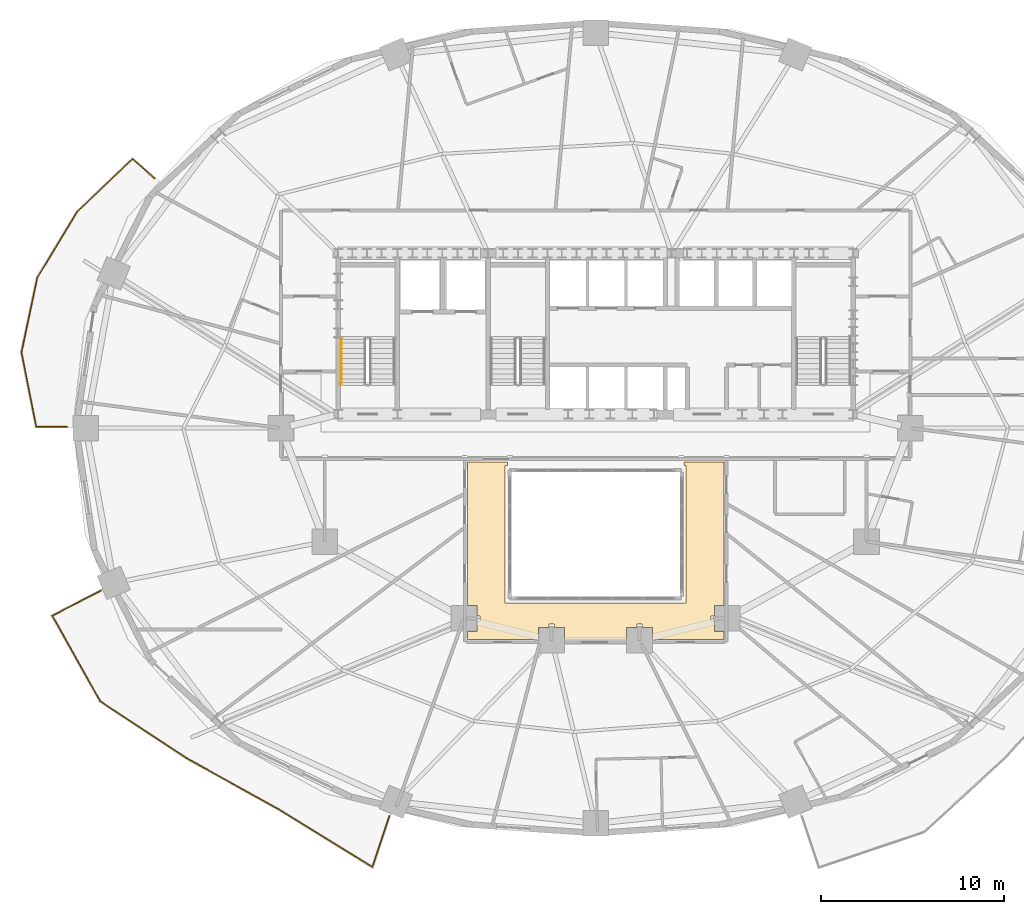
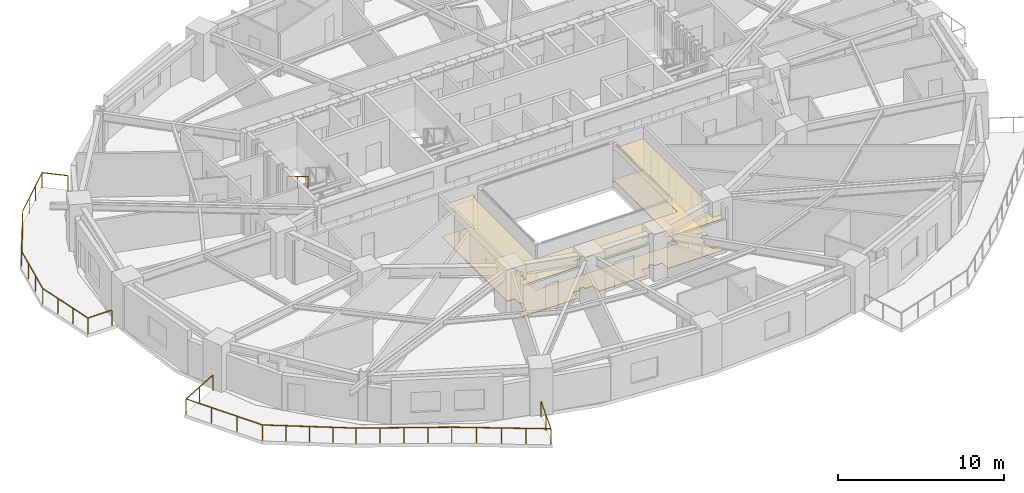
# One storey, part 13 of 16: 3 railings, 2 coverings.
"""IFC4 building model written with IfcOpenShell, lengths in metres."""

from ifc_helpers import new_model, si_unit, direction, frame, origin, origin_2d, place, context, subcontext, project, spatial, polyline, rectangle, outline, extrude, material, layer, layer_set, type_object, element, save


model = new_model("IFC4")

# Units and contexts
model_context = context("Model", 3, precision=1e-05, world=origin(), true_north=direction((0.0, 1.0)))
body_context = subcontext(model_context, "Body", "Model", "MODEL_VIEW")
ifc_project = project(units=[si_unit("LENGTHUNIT", "METRE"), si_unit("AREAUNIT", "SQUARE_METRE"), si_unit("VOLUMEUNIT", "CUBIC_METRE"), si_unit("PLANEANGLEUNIT", "RADIAN"), si_unit("MASSUNIT", "GRAM", prefix="KILO")], contexts=[model_context])

# Site, building, storey
site_placement = place(None, origin())
site = spatial("IfcSite", under=ifc_project, at=site_placement, CompositionType="ELEMENT")
building_placement = place(site_placement, origin())
building = spatial("IfcBuilding", under=site, at=building_placement, Name="Haldorwick Loom Tower", CompositionType="ELEMENT")
storey_placement = place(building_placement, frame((0.0, 0.0, 88.699951171875)))
storey = spatial("IfcBuildingStorey", under=building, at=storey_placement, Name="L23", CompositionType="ELEMENT", Elevation=88.699951171875)

# Coverings
ifc_material_1 = material(Name="Mineral Fibre Acoustic Ceiling Tile")
ifc_layer_1 = layer(ifc_material_1, 0.054931640625, Name="Mineral Fibre Acoustic Ceiling Tile")
ifc_layer_set_1 = layer_set([ifc_layer_1], Name="Mineral Fibre Acoustic Ceiling Tile")
covering_type_1 = type_object("IfcCoveringType", Name="ARC-COV-CEIL2", PredefinedType="CEILING", material=ifc_layer_set_1)
covering_1_placement = place(storey_placement, frame((0.0, 0.0, 2.302001953125)))
element("IfcCovering", 1, at=covering_1_placement, inside=storey, type_object=covering_type_1, Name="L23 Acoustic Suspended Ceiling 1", PredefinedType="CEILING", context=body_context, shape_type="SweptSolid", body=[
    extrude(outline(polyline([(40.820068359375, 24.159912109375), (40.820068359375, 23.949951171875), (40.949951171875, 23.949951171875), (40.949951171875, 16.449951171875), (31.050048828125, 16.449951171875), (31.050048828125, 23.949951171875), (31.179931640625, 23.949951171875), (31.179931640625, 24.159912109375), (28.989990234375, 24.159912109375), (28.989990234375, 16.30810546875), (29.508056640625, 16.30810546875), (29.508056640625, 15.739990234375), (29.669921875, 15.739990234375), (29.672119140625, 15.739990234375), (29.673828125, 15.739501953125), (29.67578125, 15.739013671875), (29.677734375, 15.738525390625), (29.679443359375, 15.737548828125), (29.68115234375, 15.736572265625), (29.6826171875, 15.735595703125), (29.68408203125, 15.734130859375), (29.685546875, 15.732666015625), (29.6865234375, 15.731201171875), (29.6875, 15.7294921875), (29.6884765625, 15.727783203125), (29.689208984375, 15.725830078125), (29.689697265625, 15.723876953125), (29.68994140625, 15.721923828125), (29.68994140625, 15.719970703125), (29.68994140625, 15.47998046875), (29.68994140625, 15.47802734375), (29.689697265625, 15.47607421875), (29.689208984375, 15.47412109375), (29.6884765625, 15.472412109375), (29.6875, 15.470703125), (29.6865234375, 15.468994140625), (29.685546875, 15.46728515625), (29.68408203125, 15.4658203125), (29.6826171875, 15.464599609375), (29.68115234375, 15.46337890625), (29.679443359375, 15.46240234375), (29.677734375, 15.46142578125), (29.67578125, 15.4609375), (29.673828125, 15.46044921875), (29.672119140625, 15.460205078125), (29.669921875, 15.4599609375), (29.508056640625, 15.4599609375), (29.508056640625, 14.89208984375), (28.989990234375, 14.89208984375), (28.989990234375, 14.43994140625), (32.89208984375, 14.43994140625), (32.89208984375, 15.10791015625), (33.4599609375, 15.10791015625), (33.4599609375, 15.27001953125), (33.460205078125, 15.27197265625), (33.46044921875, 15.27392578125), (33.4609375, 15.27587890625), (33.46142578125, 15.277587890625), (33.46240234375, 15.279296875), (33.46337890625, 15.281005859375), (33.464599609375, 15.28271484375), (33.4658203125, 15.2841796875), (33.46728515625, 15.285400390625), (33.468994140625, 15.28662109375), (33.470703125, 15.28759765625), (33.472412109375, 15.28857421875), (33.47412109375, 15.2890625), (33.47607421875, 15.28955078125), (33.47802734375, 15.289794921875), (33.47998046875, 15.2900390625), (33.719970703125, 15.2900390625), (33.721923828125, 15.289794921875), (33.723876953125, 15.28955078125), (33.725830078125, 15.2890625), (33.727783203125, 15.28857421875), (33.7294921875, 15.28759765625), (33.731201171875, 15.28662109375), (33.732666015625, 15.285400390625), (33.734130859375, 15.2841796875), (33.735595703125, 15.28271484375), (33.736572265625, 15.281005859375), (33.737548828125, 15.279296875), (33.738525390625, 15.277587890625), (33.739013671875, 15.27587890625), (33.739501953125, 15.27392578125), (33.739990234375, 15.27197265625), (33.739990234375, 15.27001953125), (33.739990234375, 15.10791015625), (34.30810546875, 15.10791015625), (34.30810546875, 14.43994140625), (37.69189453125, 14.43994140625), (37.69189453125, 15.10791015625), (38.260009765625, 15.10791015625), (38.260009765625, 15.27001953125), (38.260009765625, 15.27197265625), (38.260498046875, 15.27392578125), (38.260986328125, 15.27587890625), (38.261474609375, 15.277587890625), (38.262451171875, 15.279296875), (38.263427734375, 15.281005859375), (38.264404296875, 15.28271484375), (38.265869140625, 15.2841796875), (38.267333984375, 15.285400390625), (38.268798828125, 15.28662109375), (38.2705078125, 15.28759765625), (38.272216796875, 15.28857421875), (38.274169921875, 15.2890625), (38.276123046875, 15.28955078125), (38.278076171875, 15.289794921875), (38.280029296875, 15.2900390625), (38.52001953125, 15.2900390625), (38.52197265625, 15.289794921875), (38.52392578125, 15.28955078125), (38.52587890625, 15.2890625), (38.527587890625, 15.28857421875), (38.529296875, 15.28759765625), (38.531005859375, 15.28662109375), (38.53271484375, 15.285400390625), (38.5341796875, 15.2841796875), (38.535400390625, 15.28271484375), (38.53662109375, 15.28125), (38.53759765625, 15.279541015625), (38.538330078125, 15.277587890625), (38.5390625, 15.27587890625), (38.53955078125, 15.27392578125), (38.539794921875, 15.272216796875), (38.5400390625, 15.27001953125), (38.540771484375, 15.10791015625), (39.10791015625, 15.10791015625), (39.10791015625, 14.43994140625), (43.010009765625, 14.43994140625), (43.010009765625, 14.89208984375), (42.491943359375, 14.89208984375), (42.491943359375, 15.4599609375), (42.330078125, 15.4599609375), (42.327880859375, 15.460205078125), (42.326171875, 15.46044921875), (42.32421875, 15.4609375), (42.322265625, 15.46142578125), (42.320556640625, 15.46240234375), (42.31884765625, 15.46337890625), (42.3173828125, 15.464599609375), (42.31591796875, 15.4658203125), (42.314453125, 15.46728515625), (42.3134765625, 15.468994140625), (42.3125, 15.470703125), (42.3115234375, 15.472412109375), (42.310791015625, 15.47412109375), (42.310302734375, 15.47607421875), (42.31005859375, 15.47802734375), (42.31005859375, 15.47998046875), (42.31005859375, 15.719970703125), (42.31005859375, 15.721923828125), (42.310302734375, 15.723876953125), (42.310791015625, 15.725830078125), (42.3115234375, 15.727783203125), (42.3125, 15.7294921875), (42.3134765625, 15.731201171875), (42.314453125, 15.732666015625), (42.31591796875, 15.734130859375), (42.3173828125, 15.735595703125), (42.31884765625, 15.736572265625), (42.320556640625, 15.737548828125), (42.322265625, 15.738525390625), (42.32421875, 15.739013671875), (42.326171875, 15.739501953125), (42.327880859375, 15.739990234375), (42.330078125, 15.739990234375), (42.491943359375, 15.739990234375), (42.491943359375, 16.30810546875), (43.010009765625, 16.30810546875), (43.010009765625, 24.159912109375), (40.820068359375, 24.159912109375)])), origin(), (0.0, 0.0, 1.0), 0.054931640625),
])
ifc_material_2 = material(Name="Polished Aggregate Terrazzo Finish")
ifc_layer_2 = layer(ifc_material_2, 0.044921875, Name="Polished Aggregate Terrazzo Finish")
ifc_layer_set_2 = layer_set([ifc_layer_2], Name="Polished Aggregate Terrazzo Finish")
covering_type_2 = type_object("IfcCoveringType", Name="ARC-COV-FLOOR2", PredefinedType="FLOORING", material=ifc_layer_set_2)
covering_2_placement = place(storey_placement, origin())
element("IfcCovering", 2, at=covering_2_placement, inside=storey, type_object=covering_type_2, Name="L23 Floor Finish 1", PredefinedType="FLOORING", context=body_context, shape_type="SweptSolid", body=[
    extrude(outline(polyline([(40.820068359375, 24.159912109375), (40.820068359375, 23.949951171875), (40.949951171875, 23.949951171875), (40.949951171875, 16.449951171875), (31.050048828125, 16.449951171875), (31.050048828125, 23.949951171875), (31.179931640625, 23.949951171875), (31.179931640625, 24.159912109375), (28.989990234375, 24.159912109375), (28.989990234375, 16.30810546875), (29.508056640625, 16.30810546875), (29.508056640625, 15.739990234375), (29.669921875, 15.739990234375), (29.672119140625, 15.739990234375), (29.673828125, 15.739501953125), (29.67578125, 15.739013671875), (29.677734375, 15.738525390625), (29.679443359375, 15.737548828125), (29.68115234375, 15.736572265625), (29.6826171875, 15.735595703125), (29.68408203125, 15.734130859375), (29.685546875, 15.732666015625), (29.6865234375, 15.731201171875), (29.6875, 15.7294921875), (29.6884765625, 15.727783203125), (29.689208984375, 15.725830078125), (29.689697265625, 15.723876953125), (29.68994140625, 15.721923828125), (29.68994140625, 15.719970703125), (29.68994140625, 15.47998046875), (29.68994140625, 15.47802734375), (29.689697265625, 15.47607421875), (29.689208984375, 15.47412109375), (29.6884765625, 15.472412109375), (29.6875, 15.470703125), (29.6865234375, 15.468994140625), (29.685546875, 15.46728515625), (29.68408203125, 15.4658203125), (29.6826171875, 15.464599609375), (29.68115234375, 15.46337890625), (29.679443359375, 15.46240234375), (29.677734375, 15.46142578125), (29.67578125, 15.4609375), (29.673828125, 15.46044921875), (29.672119140625, 15.460205078125), (29.669921875, 15.4599609375), (29.508056640625, 15.4599609375), (29.508056640625, 14.89208984375), (28.989990234375, 14.89208984375), (28.989990234375, 14.43994140625), (32.89208984375, 14.43994140625), (32.89208984375, 15.10791015625), (33.4599609375, 15.10791015625), (33.4599609375, 15.27001953125), (33.460205078125, 15.27197265625), (33.46044921875, 15.27392578125), (33.4609375, 15.27587890625), (33.46142578125, 15.277587890625), (33.46240234375, 15.279296875), (33.46337890625, 15.281005859375), (33.464599609375, 15.28271484375), (33.4658203125, 15.2841796875), (33.46728515625, 15.285400390625), (33.468994140625, 15.28662109375), (33.470703125, 15.28759765625), (33.472412109375, 15.28857421875), (33.47412109375, 15.2890625), (33.47607421875, 15.28955078125), (33.47802734375, 15.289794921875), (33.47998046875, 15.2900390625), (33.719970703125, 15.2900390625), (33.721923828125, 15.289794921875), (33.723876953125, 15.28955078125), (33.725830078125, 15.2890625), (33.727783203125, 15.28857421875), (33.7294921875, 15.28759765625), (33.731201171875, 15.28662109375), (33.732666015625, 15.285400390625), (33.734130859375, 15.2841796875), (33.735595703125, 15.28271484375), (33.736572265625, 15.281005859375), (33.737548828125, 15.279296875), (33.738525390625, 15.277587890625), (33.739013671875, 15.27587890625), (33.739501953125, 15.27392578125), (33.739990234375, 15.27197265625), (33.739990234375, 15.27001953125), (33.739990234375, 15.10791015625), (34.30810546875, 15.10791015625), (34.30810546875, 14.43994140625), (37.69189453125, 14.43994140625), (37.69189453125, 15.10791015625), (38.260009765625, 15.10791015625), (38.260009765625, 15.27001953125), (38.260009765625, 15.27197265625), (38.260498046875, 15.27392578125), (38.260986328125, 15.27587890625), (38.261474609375, 15.277587890625), (38.262451171875, 15.279296875), (38.263427734375, 15.281005859375), (38.264404296875, 15.28271484375), (38.265869140625, 15.2841796875), (38.267333984375, 15.285400390625), (38.268798828125, 15.28662109375), (38.2705078125, 15.28759765625), (38.272216796875, 15.28857421875), (38.274169921875, 15.2890625), (38.276123046875, 15.28955078125), (38.278076171875, 15.289794921875), (38.280029296875, 15.2900390625), (38.52001953125, 15.2900390625), (38.52197265625, 15.289794921875), (38.52392578125, 15.28955078125), (38.52587890625, 15.2890625), (38.527587890625, 15.28857421875), (38.529296875, 15.28759765625), (38.531005859375, 15.28662109375), (38.53271484375, 15.285400390625), (38.5341796875, 15.2841796875), (38.535400390625, 15.28271484375), (38.53662109375, 15.28125), (38.53759765625, 15.279541015625), (38.538330078125, 15.277587890625), (38.5390625, 15.27587890625), (38.53955078125, 15.27392578125), (38.539794921875, 15.272216796875), (38.5400390625, 15.27001953125), (38.540771484375, 15.10791015625), (39.10791015625, 15.10791015625), (39.10791015625, 14.43994140625), (43.010009765625, 14.43994140625), (43.010009765625, 14.89208984375), (42.491943359375, 14.89208984375), (42.491943359375, 15.4599609375), (42.330078125, 15.4599609375), (42.327880859375, 15.460205078125), (42.326171875, 15.46044921875), (42.32421875, 15.4609375), (42.322265625, 15.46142578125), (42.320556640625, 15.46240234375), (42.31884765625, 15.46337890625), (42.3173828125, 15.464599609375), (42.31591796875, 15.4658203125), (42.314453125, 15.46728515625), (42.3134765625, 15.468994140625), (42.3125, 15.470703125), (42.3115234375, 15.472412109375), (42.310791015625, 15.47412109375), (42.310302734375, 15.47607421875), (42.31005859375, 15.47802734375), (42.31005859375, 15.47998046875), (42.31005859375, 15.719970703125), (42.31005859375, 15.721923828125), (42.310302734375, 15.723876953125), (42.310791015625, 15.725830078125), (42.3115234375, 15.727783203125), (42.3125, 15.7294921875), (42.3134765625, 15.731201171875), (42.314453125, 15.732666015625), (42.31591796875, 15.734130859375), (42.3173828125, 15.735595703125), (42.31884765625, 15.736572265625), (42.320556640625, 15.737548828125), (42.322265625, 15.738525390625), (42.32421875, 15.739013671875), (42.326171875, 15.739501953125), (42.327880859375, 15.739990234375), (42.330078125, 15.739990234375), (42.491943359375, 15.739990234375), (42.491943359375, 16.30810546875), (43.010009765625, 16.30810546875), (43.010009765625, 24.159912109375), (40.820068359375, 24.159912109375)])), origin(), (0.0, 0.0, 1.0), 0.045166015625),
])

# Railings
ifc_material_3 = material(Name="Galvanized Steel CSA G40.21 350W", Category="steel")
railing_type_1 = type_object("IfcRailingType", Name="ARC-RLG-BAL115", PredefinedType="BALUSTRADE", material=ifc_material_3)
railing_1_placement = place(storey_placement, frame((24.729248046875, 4.805908203125, 0.0)))
element("IfcRailing", 3, at=railing_1_placement, inside=storey, type_object=railing_type_1, Name="L23 Outdoor Terrace Guardrail SLB-L23-BAL_SW-1", PredefinedType="BALUSTRADE", context=body_context, shape_type="SweptSolid", body=[
    extrude(rectangle(XDim=0.048095703125, YDim=0.048095703125, at=origin_2d()), frame((0.0, 0.0, 1.1259765625), z_axis=(-0.316552288503, -0.948575062208, 0.0), x_axis=(0.948575062208, -0.316552288503, 0.0)), (0.0, 0.0, 1.0), 2.933837890625),
    extrude(rectangle(XDim=0.048095703125, YDim=0.048095703125, at=origin_2d()), frame((-0.9287109375, -2.782958984375, 1.1259765625), z_axis=(-0.851115893252, 0.524977843583, 0.0), x_axis=(-0.524977843583, -0.851115893252, 0.0)), (0.0, 0.0, 1.0), 5.985595703125),
    extrude(rectangle(XDim=0.048095703125, YDim=0.048095703125, at=origin_2d()), frame((-6.023193359375, 0.359375, 1.1259765625), z_axis=(-0.851658316705, 0.524097425664, 0.0), x_axis=(-0.524097425664, -0.851658316705, 0.0)), (0.0, 0.0, 1.0), 0.003662109375),
    extrude(rectangle(XDim=0.048095703125, YDim=0.048095703125, at=origin_2d()), frame((-6.0263671875, 0.361328125, 1.1259765625), z_axis=(-0.874686586393, 0.484688947248, 0.0), x_axis=(-0.484688947248, -0.874686586393, 0.0)), (0.0, 0.0, 1.0), 5.759765625),
    extrude(rectangle(XDim=0.048095703125, YDim=0.048095703125, at=origin_2d()), frame((-11.064453125, 3.153076171875, 1.1259765625), z_axis=(-0.834770993898, 0.550597300889, 0.0), x_axis=(-0.550597300889, -0.834770993898, 0.0)), (0.0, 0.0, 1.0), 5.666748046875),
    extrude(rectangle(XDim=0.048095703125, YDim=0.048095703125, at=origin_2d()), frame((-15.794921875, 6.273193359375, 1.1259765625), z_axis=(-0.489113033914, 0.872220407956, 0.0), x_axis=(-0.872220407956, -0.489113033914, 0.0)), (0.0, 0.0, 1.0), 5.352294921875),
    extrude(rectangle(XDim=0.048095703125, YDim=0.048095703125, at=origin_2d()), frame((-18.412841796875, 10.941650390625, 1.1259765625), z_axis=(0.888537984145, 0.458803063124, 0.0), x_axis=(-0.458803063124, 0.888537984145, 0.0)), (0.0, 0.0, 1.0), 2.989990234375),
    extrude(rectangle(XDim=0.0419921875, YDim=0.0419921875, at=origin_2d()), origin(), (0.0, 0.0, 1.0), 1.101806640625),
    extrude(rectangle(XDim=0.0419921875, YDim=0.0419921875, at=origin_2d()), frame((-0.46435546875, -1.3916015625, 0.0)), (0.0, 0.0, 1.0), 1.101806640625),
    extrude(rectangle(XDim=0.0419921875, YDim=0.0419921875, at=origin_2d()), frame((-0.9287109375, -2.782958984375, 0.0)), (0.0, 0.0, 1.0), 1.101806640625),
    extrude(rectangle(XDim=0.0419921875, YDim=0.0419921875, at=origin_2d()), frame((-2.202392578125, -1.997314453125, 0.0)), (0.0, 0.0, 1.0), 1.101806640625),
    extrude(rectangle(XDim=0.0419921875, YDim=0.0419921875, at=origin_2d()), frame((-3.47607421875, -1.2119140625, 0.0)), (0.0, 0.0, 1.0), 1.101806640625),
    extrude(rectangle(XDim=0.0419921875, YDim=0.0419921875, at=origin_2d()), frame((-4.74951171875, -0.42626953125, 0.0)), (0.0, 0.0, 1.0), 1.101806640625),
    extrude(rectangle(XDim=0.0419921875, YDim=0.0419921875, at=origin_2d()), frame((-6.023193359375, 0.359375, 0.0)), (0.0, 0.0, 1.0), 1.101806640625),
    extrude(rectangle(XDim=0.0419921875, YDim=0.0419921875, at=origin_2d()), frame((-7.285888671875, 1.059326171875, 0.0)), (0.0, 0.0, 1.0), 1.101806640625),
    extrude(rectangle(XDim=0.0419921875, YDim=0.0419921875, at=origin_2d()), frame((-8.54541015625, 1.75732421875, 0.0)), (0.0, 0.0, 1.0), 1.101806640625),
    extrude(rectangle(XDim=0.0419921875, YDim=0.0419921875, at=origin_2d()), frame((-9.804931640625, 2.455078125, 0.0)), (0.0, 0.0, 1.0), 1.101806640625),
    extrude(rectangle(XDim=0.0419921875, YDim=0.0419921875, at=origin_2d()), frame((-11.064453125, 3.153076171875, 0.0)), (0.0, 0.0, 1.0), 1.101806640625),
    extrude(rectangle(XDim=0.0419921875, YDim=0.0419921875, at=origin_2d()), frame((-12.2470703125, 3.93310546875, 0.0)), (0.0, 0.0, 1.0), 1.101806640625),
    extrude(rectangle(XDim=0.0419921875, YDim=0.0419921875, at=origin_2d()), frame((-13.4296875, 4.713134765625, 0.0)), (0.0, 0.0, 1.0), 1.101806640625),
    extrude(rectangle(XDim=0.0419921875, YDim=0.0419921875, at=origin_2d()), frame((-14.6123046875, 5.4931640625, 0.0)), (0.0, 0.0, 1.0), 1.101806640625),
    extrude(rectangle(XDim=0.0419921875, YDim=0.0419921875, at=origin_2d()), frame((-15.794921875, 6.273193359375, 0.0)), (0.0, 0.0, 1.0), 1.101806640625),
    extrude(rectangle(XDim=0.0419921875, YDim=0.0419921875, at=origin_2d()), frame((-16.66748046875, 7.829345703125, 0.0)), (0.0, 0.0, 1.0), 1.101806640625),
    extrude(rectangle(XDim=0.0419921875, YDim=0.0419921875, at=origin_2d()), frame((-17.540283203125, 9.385498046875, 0.0)), (0.0, 0.0, 1.0), 1.101806640625),
    extrude(rectangle(XDim=0.0419921875, YDim=0.0419921875, at=origin_2d()), frame((-18.412841796875, 10.941650390625, 0.0)), (0.0, 0.0, 1.0), 1.101806640625),
    extrude(rectangle(XDim=0.0419921875, YDim=0.0419921875, at=origin_2d()), frame((-17.08447265625, 11.62744140625, 0.0)), (0.0, 0.0, 1.0), 1.101806640625),
    extrude(rectangle(XDim=0.0419921875, YDim=0.0419921875, at=origin_2d()), frame((-15.756103515625, 12.3134765625, 0.0)), (0.0, 0.0, 1.0), 1.101806640625),
])
railing_2_placement = place(storey_placement, frame((7.09912109375, 26.080078125, 0.0)))
element("IfcRailing", 4, at=railing_2_placement, inside=storey, type_object=railing_type_1, Name="L23 Outdoor Terrace Guardrail SLB-L23-BAL_WNW-1", PredefinedType="BALUSTRADE", context=body_context, shape_type="SweptSolid", body=[
    extrude(rectangle(XDim=0.048095703125, YDim=0.048095703125, at=origin_2d()), frame((0.0, 0.0, 1.1259765625), z_axis=(-1.0, 0.0, 0.0), x_axis=(0.0, -1.0, 0.0)), (0.0, 0.0, 1.0), 1.66259765625),
    extrude(rectangle(XDim=0.048095703125, YDim=0.048095703125, at=origin_2d()), frame((-1.66259765625, 0.0, 1.1259765625), z_axis=(-0.19502627882, 0.980798017213, 0.0), x_axis=(-0.980798017213, -0.19502627882, 0.0)), (0.0, 0.0, 1.0), 4.135986328125),
    extrude(rectangle(XDim=0.048095703125, YDim=0.048095703125, at=origin_2d()), frame((-2.46923828125, 4.056640625, 1.1259765625), z_axis=(0.206957513397, 0.978349931082, 0.0), x_axis=(-0.978349931082, 0.206957513397, 0.0)), (0.0, 0.0, 1.0), 4.170166015625),
    extrude(rectangle(XDim=0.048095703125, YDim=0.048095703125, at=origin_2d()), frame((-1.606201171875, 8.136474609375, 1.1259765625), z_axis=(0.517716428266, 0.855552277715, 0.0), x_axis=(-0.855552277715, 0.517716428266, 0.0)), (0.0, 0.0, 1.0), 4.197998046875),
    extrude(rectangle(XDim=0.048095703125, YDim=0.048095703125, at=origin_2d()), frame((0.567138671875, 11.72802734375, 1.1259765625), z_axis=(0.722314199748, 0.691565034428, 0.0), x_axis=(-0.691565034428, 0.722314199748, 0.0)), (0.0, 0.0, 1.0), 4.192138671875),
    extrude(rectangle(XDim=0.048095703125, YDim=0.048095703125, at=origin_2d()), frame((3.59521484375, 14.627197265625, 1.1259765625), z_axis=(0.747994580098, -0.663704835107, 0.0), x_axis=(0.663704835107, 0.747994580098, 0.0)), (0.0, 0.0, 1.0), 1.587158203125),
    extrude(rectangle(XDim=0.0419921875, YDim=0.0419921875, at=origin_2d()), origin(), (0.0, 0.0, 1.0), 1.101806640625),
    extrude(rectangle(XDim=0.0419921875, YDim=0.0419921875, at=origin_2d()), frame((-1.66259765625, 0.0, 0.0)), (0.0, 0.0, 1.0), 1.101806640625),
    extrude(rectangle(XDim=0.0419921875, YDim=0.0419921875, at=origin_2d()), frame((-1.931396484375, 1.352294921875, 0.0)), (0.0, 0.0, 1.0), 1.101806640625),
    extrude(rectangle(XDim=0.0419921875, YDim=0.0419921875, at=origin_2d()), frame((-2.200439453125, 2.704345703125, 0.0)), (0.0, 0.0, 1.0), 1.101806640625),
    extrude(rectangle(XDim=0.0419921875, YDim=0.0419921875, at=origin_2d()), frame((-2.46923828125, 4.056640625, 0.0)), (0.0, 0.0, 1.0), 1.101806640625),
    extrude(rectangle(XDim=0.0419921875, YDim=0.0419921875, at=origin_2d()), frame((-2.181640625, 5.41650390625, 0.0)), (0.0, 0.0, 1.0), 1.101806640625),
    extrude(rectangle(XDim=0.0419921875, YDim=0.0419921875, at=origin_2d()), frame((-1.893798828125, 6.776611328125, 0.0)), (0.0, 0.0, 1.0), 1.101806640625),
    extrude(rectangle(XDim=0.0419921875, YDim=0.0419921875, at=origin_2d()), frame((-1.606201171875, 8.136474609375, 0.0)), (0.0, 0.0, 1.0), 1.101806640625),
    extrude(rectangle(XDim=0.0419921875, YDim=0.0419921875, at=origin_2d()), frame((-0.8818359375, 9.333740234375, 0.0)), (0.0, 0.0, 1.0), 1.101806640625),
    extrude(rectangle(XDim=0.0419921875, YDim=0.0419921875, at=origin_2d()), frame((-0.1572265625, 10.53076171875, 0.0)), (0.0, 0.0, 1.0), 1.101806640625),
    extrude(rectangle(XDim=0.0419921875, YDim=0.0419921875, at=origin_2d()), frame((0.567138671875, 11.72802734375, 0.0)), (0.0, 0.0, 1.0), 1.101806640625),
    extrude(rectangle(XDim=0.0419921875, YDim=0.0419921875, at=origin_2d()), frame((1.576416015625, 12.6943359375, 0.0)), (0.0, 0.0, 1.0), 1.101806640625),
    extrude(rectangle(XDim=0.0419921875, YDim=0.0419921875, at=origin_2d()), frame((2.5859375, 13.660888671875, 0.0)), (0.0, 0.0, 1.0), 1.101806640625),
    extrude(rectangle(XDim=0.0419921875, YDim=0.0419921875, at=origin_2d()), frame((3.59521484375, 14.627197265625, 0.0)), (0.0, 0.0, 1.0), 1.101806640625),
    extrude(rectangle(XDim=0.0419921875, YDim=0.0419921875, at=origin_2d()), frame((4.782470703125, 13.57373046875, 0.0)), (0.0, 0.0, 1.0), 1.101806640625),
])
ifc_material_4 = material(Name="Steel CSA G40.21 350W", Category="steel")
railing_type_2 = type_object("IfcRailingType", Name="ARC-RLG-HAND092", PredefinedType="HANDRAIL", material=ifc_material_4)
railing_3_placement = place(storey_placement, frame((22.10009765625, 30.919921875, 1.8974609375)))
element("IfcRailing", 5, at=railing_3_placement, inside=storey, type_object=railing_type_2, Name="L23 ST-01 stair handrail 2", PredefinedType="HANDRAIL", context=body_context, shape_type="SweptSolid", body=[
    extrude(rectangle(XDim=0.048095703125, YDim=0.048095703125, at=origin_2d()), frame((0.0, 0.0, 0.8759765625), z_axis=(0.0, -0.851400495292, 0.524516154772), x_axis=(1.0, 0.0, 0.0)), (0.0, 0.0, 1.0), 2.9599609375),
    extrude(rectangle(XDim=0.0419921875, YDim=0.0419921875, at=origin_2d()), origin(), (0.0, 0.0, 1.0), 0.851806640625),
    extrude(rectangle(XDim=0.0419921875, YDim=0.0419921875, at=origin_2d()), frame((0.0, -1.260009765625, 0.7763671875)), (0.0, 0.0, 1.0), 0.851806640625),
    extrude(rectangle(XDim=0.0419921875, YDim=0.0419921875, at=origin_2d()), frame((0.0, -2.52001953125, 1.552490234375)), (0.0, 0.0, 1.0), 0.851806640625),
])

save(model, "model.ifc")
